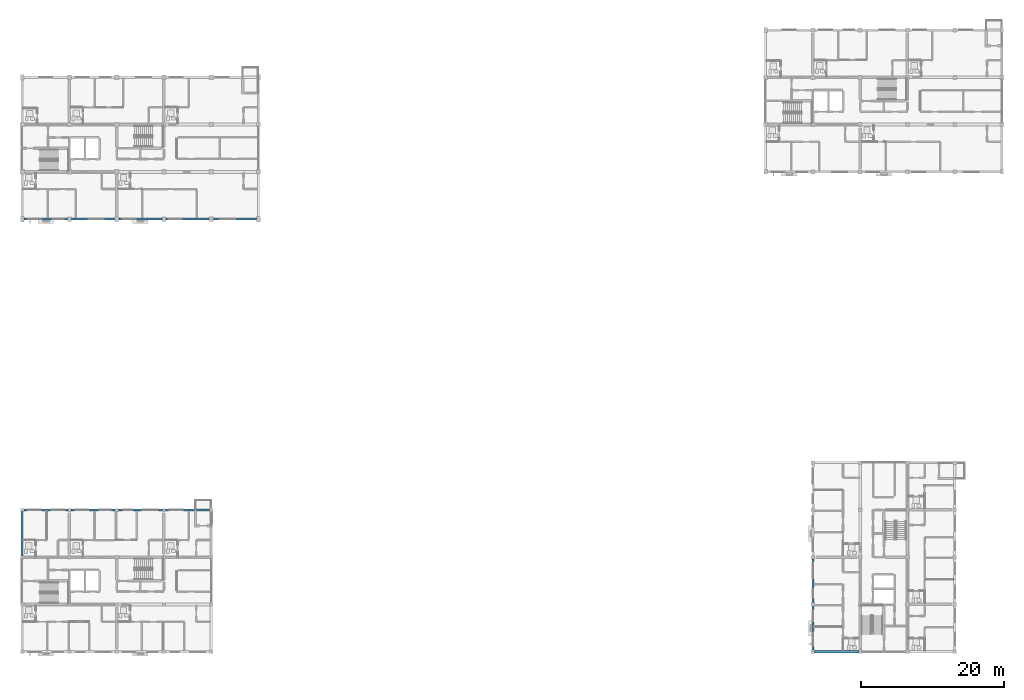
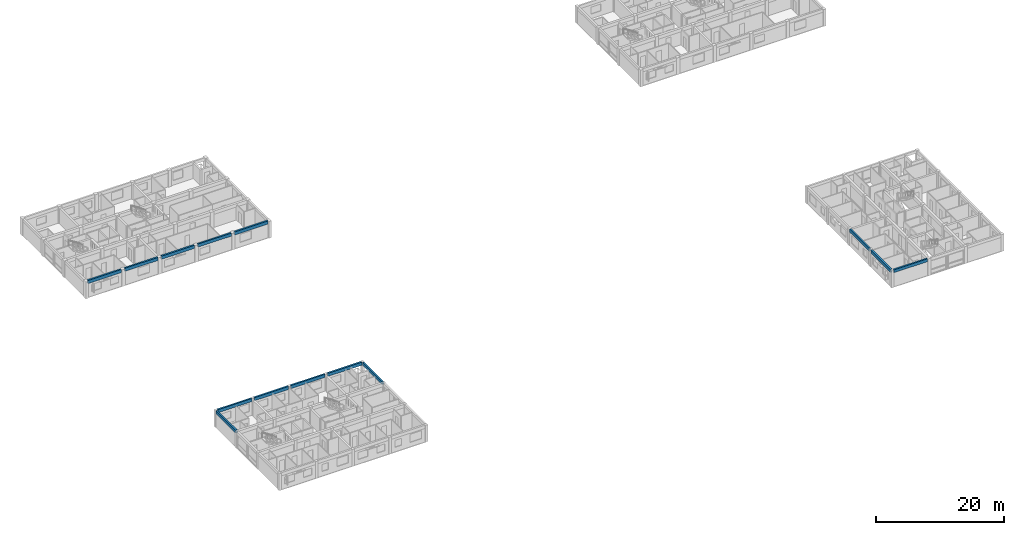
# One storey, part 10 of 52: 14 beams.
"""IFC4 building model written with IfcOpenShell, lengths in metres."""

from ifc_helpers import new_model, si_unit, direction, frame, origin, origin_2d, place, context, subcontext, project, spatial, rectangle, extrude, material, material_profile, profile_set, type_object, element, save


model = new_model("IFC4")

# Units and contexts
model_context = context("Model", 3, precision=1e-05, world=origin(), true_north=direction((0.0, 1.0)))
body_context = subcontext(model_context, "Body", "Model", "MODEL_VIEW")
ifc_project = project(units=[si_unit("LENGTHUNIT", "METRE"), si_unit("AREAUNIT", "SQUARE_METRE"), si_unit("VOLUMEUNIT", "CUBIC_METRE"), si_unit("PLANEANGLEUNIT", "RADIAN"), si_unit("MASSUNIT", "GRAM", prefix="KILO")], contexts=[model_context])

# Site, building, storey
site_placement = place(None, origin())
site = spatial("IfcSite", under=ifc_project, at=site_placement, CompositionType="ELEMENT")
building_placement = place(site_placement, origin())
building = spatial("IfcBuilding", under=site, at=building_placement, Name="Kernevlak Ridge Housing Community", CompositionType="ELEMENT")
storey_placement = place(building_placement, frame((0.0, 0.0, 11.60009765625)))
storey = spatial("IfcBuildingStorey", under=building, at=storey_placement, Name="L03", CompositionType="ELEMENT", Elevation=11.60009765625)

# Beams
ifc_material = material(Name="Concrete C35/45", Category="concrete")
ifc_material_profile_1 = material_profile(ifc_material, rectangle(XDim=0.300048828125, YDim=0.550048828125, at=origin_2d()), Name="RC 300x550")
ifc_profile_set_1 = profile_set([ifc_material_profile_1], Name="Concrete C35/45")
beam_type_1 = type_object("IfcBeamType", Name="SP-01", PredefinedType="SPANDREL", material=ifc_profile_set_1)
beam_1_placement = place(storey_placement, frame((126.25, 15.60009765625, 2.9248046875), z_axis=(1.0, 0.0, 0.0), x_axis=(0.0, 1.0, 0.0)))
element("IfcBeam", 1, at=beam_1_placement, inside=storey, type_object=beam_type_1, Name="Beam SP-01 L03 1084", PredefinedType="SPANDREL", context=body_context, shape_type="SweptSolid", body=[
    extrude(rectangle(XDim=0.300048828125, YDim=0.550048828125, at=origin_2d()), origin(), (0.0, 0.0, 1.0), 6.10009765625),
])
for number, where, z_axis, x_axis, name in (
    (2, (15.60009765625, 29.02490234375, 2.9248046875), (0.0, 1.0, 0.0), (-1.0, 0.0, 0.0), "Beam SP-01 L03 1406"),
    (3, (42.0, 29.02490234375, 2.9248046875), (0.0, 1.0, 0.0), (-1.0, 0.0, 0.0), "Beam SP-01 L03 1409"),
):
    element("IfcBeam", number, at=place(storey_placement, frame(where, z_axis=z_axis, x_axis=x_axis)), inside=storey, type_object=beam_type_1, Name=name, PredefinedType="SPANDREL", context=body_context, shape_type="SweptSolid", body=[
        extrude(rectangle(XDim=0.300048828125, YDim=0.550048828125, at=origin_2d()), origin(), (0.0, 0.0, 1.0), 6.150146484375),
    ])
ifc_material_profile_2 = material_profile(ifc_material, rectangle(XDim=0.300048828125, YDim=0.60009765625, at=origin_2d()), Name="RC 300x600")
ifc_profile_set_2 = profile_set([ifc_material_profile_2], Name="Concrete C35/45")
beam_type_2 = type_object("IfcBeamType", Name="SP-02", PredefinedType="SPANDREL", material=ifc_profile_set_2)
beam_2_placement = place(storey_placement, frame((15.85009765625, 76.0, 2.89990234375), z_axis=(1.0, 0.0, 0.0), x_axis=(0.0, 1.0, 0.0)))
element("IfcBeam", 4, at=beam_2_placement, inside=storey, type_object=beam_type_2, Name="Beam SP-02 L03 135", PredefinedType="SPANDREL", context=body_context, shape_type="SweptSolid", body=[
    extrude(rectangle(XDim=0.300048828125, YDim=0.60009765625, at=origin_2d()), origin(), (0.0, 0.0, 1.0), 6.0498046875),
])
for number, where, z_axis, x_axis, name in (
    (5, (22.5, 76.0, 2.89990234375), (1.0, 0.0, 0.0), (0.0, 1.0, 0.0), "Beam SP-02 L03 136"),
    (6, (29.10009765625, 76.0, 2.89990234375), (1.0, 0.0, 0.0), (0.0, 1.0, 0.0), "Beam SP-02 L03 137"),
    (7, (35.699951171875, 76.0, 2.89990234375), (1.0, 0.0, 0.0), (0.0, 1.0, 0.0), "Beam SP-02 L03 138"),
):
    element("IfcBeam", number, at=place(storey_placement, frame(where, z_axis=z_axis, x_axis=x_axis)), inside=storey, type_object=beam_type_2, Name=name, PredefinedType="SPANDREL", context=body_context, shape_type="SweptSolid", body=[
        extrude(rectangle(XDim=0.300048828125, YDim=0.60009765625, at=origin_2d()), origin(), (0.0, 0.0, 1.0), 6.0),
    ])
beam_3_placement = place(storey_placement, frame((42.300048828125, 76.0, 2.89990234375), z_axis=(1.0, 0.0, 0.0), x_axis=(0.0, 1.0, 0.0)))
element("IfcBeam", 8, at=beam_3_placement, inside=storey, type_object=beam_type_2, Name="Beam SP-02 L03 139", PredefinedType="SPANDREL", context=body_context, shape_type="SweptSolid", body=[
    extrude(rectangle(XDim=0.300048828125, YDim=0.60009765625, at=origin_2d()), origin(), (0.0, 0.0, 1.0), 6.050048828125),
])
beam_4_placement = place(storey_placement, frame((126.0, 15.85009765625, 2.89990234375), z_axis=(0.0, 1.0, 0.0), x_axis=(-1.0, 0.0, 0.0)))
element("IfcBeam", 9, at=beam_4_placement, inside=storey, type_object=beam_type_2, Name="Beam SP-02 L03 1068", PredefinedType="SPANDREL", context=body_context, shape_type="SweptSolid", body=[
    extrude(rectangle(XDim=0.300048828125, YDim=0.60009765625, at=origin_2d()), origin(), (0.0, 0.0, 1.0), 6.099853515625),
])
beam_5_placement = place(storey_placement, frame((126.0, 22.449951171875, 2.89990234375), z_axis=(0.0, 1.0, 0.0), x_axis=(-1.0, 0.0, 0.0)))
element("IfcBeam", 10, at=beam_5_placement, inside=storey, type_object=beam_type_2, Name="Beam SP-02 L03 1069", PredefinedType="SPANDREL", context=body_context, shape_type="SweptSolid", body=[
    extrude(rectangle(XDim=0.300048828125, YDim=0.60009765625, at=origin_2d()), origin(), (0.0, 0.0, 1.0), 6.10009765625),
])
beam_6_placement = place(storey_placement, frame((15.824951171875, 35.39990234375, 2.89990234375), z_axis=(1.0, 0.0, 0.0), x_axis=(0.0, 1.0, 0.0)))
element("IfcBeam", 11, at=beam_6_placement, inside=storey, type_object=beam_type_2, Name="Beam SP-02 L03 1400", PredefinedType="SPANDREL", context=body_context, shape_type="SweptSolid", body=[
    extrude(rectangle(XDim=0.300048828125, YDim=0.60009765625, at=origin_2d()), origin(), (0.0, 0.0, 1.0), 6.150146484375),
])
beam_7_placement = place(storey_placement, frame((22.425048828125, 35.39990234375, 2.89990234375), z_axis=(1.0, 0.0, 0.0), x_axis=(0.0, 1.0, 0.0)))
element("IfcBeam", 12, at=beam_7_placement, inside=storey, type_object=beam_type_2, Name="Beam SP-02 L03 1401", PredefinedType="SPANDREL", context=body_context, shape_type="SweptSolid", body=[
    extrude(rectangle(XDim=0.300048828125, YDim=0.60009765625, at=origin_2d()), origin(), (0.0, 0.0, 1.0), 6.14990234375),
])
beam_8_placement = place(storey_placement, frame((29.02490234375, 35.39990234375, 2.89990234375), z_axis=(1.0, 0.0, 0.0), x_axis=(0.0, 1.0, 0.0)))
element("IfcBeam", 13, at=beam_8_placement, inside=storey, type_object=beam_type_2, Name="Beam SP-02 L03 1402", PredefinedType="SPANDREL", context=body_context, shape_type="SweptSolid", body=[
    extrude(rectangle(XDim=0.300048828125, YDim=0.60009765625, at=origin_2d()), origin(), (0.0, 0.0, 1.0), 6.150146484375),
])
beam_9_placement = place(storey_placement, frame((35.625, 35.39990234375, 2.89990234375), z_axis=(1.0, 0.0, 0.0), x_axis=(0.0, 1.0, 0.0)))
element("IfcBeam", 14, at=beam_9_placement, inside=storey, type_object=beam_type_2, Name="Beam SP-02 L03 1403", PredefinedType="SPANDREL", context=body_context, shape_type="SweptSolid", body=[
    extrude(rectangle(XDim=0.300048828125, YDim=0.60009765625, at=origin_2d()), origin(), (0.0, 0.0, 1.0), 6.14990234375),
])

save(model, "model.ifc")
